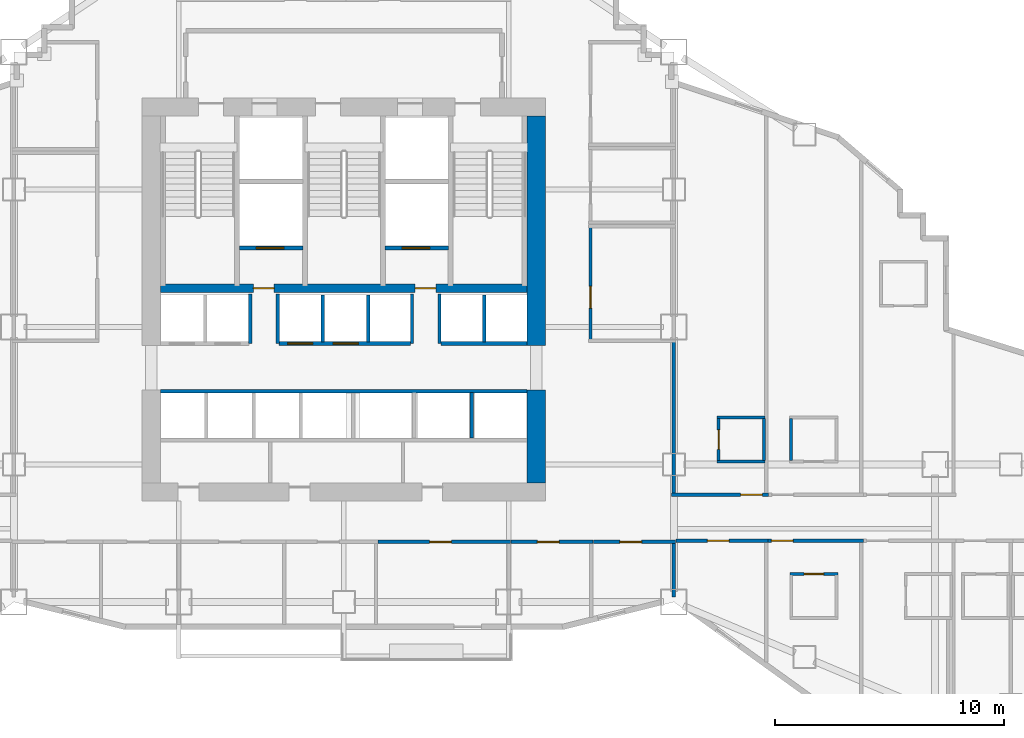
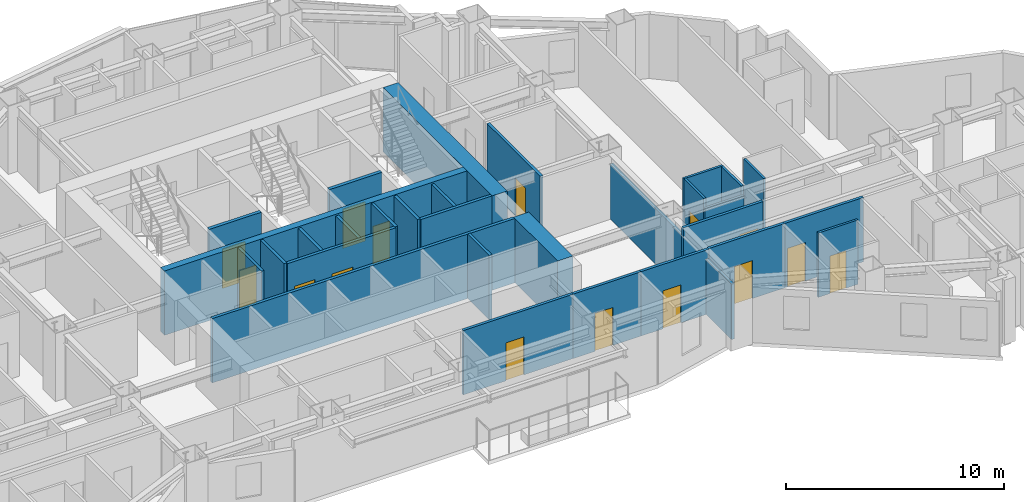
# One storey, part 8 of 16: 31 walls, 15 doors, 15 openings.
"""IFC4 building model written with IfcOpenShell, lengths in metres."""

import ifcopenshell
import ifcopenshell.guid

model = None  # the IFC model being written
_history = None  # IfcOwnerHistory: only IFC2X3 demands one
_inside = {}  # id of a spatial element -> (the spatial element, [elements in it])
_under = {}  # id of a project, library or spatial element -> (it, [spatial elements below it])
_declared = {}  # id of a project -> (the project, [libraries it declares])
_typed = {}  # id of a type object -> (the type object, [elements of that type])
_made_of = {}  # id of a material, layer set ... -> (it, [elements and type objects made of it])


def new_model(schema):
    """Start an empty IFC model of exactly this schema.

    Asked for "IFC4X3", IfcOpenShell would pick the latest addendum, in which some entities
    have other attributes; the version numbers below select the first issue.
    IFC2X3 requires an IfcOwnerHistory on every rooted entity: one is made here for all.
    """
    global model, _history
    if schema == "IFC4X3":
        model = ifcopenshell.file(schema_version=(4, 3, 0, 0))
    else:
        model = ifcopenshell.file(schema=schema)
    _inside.clear()
    _under.clear()
    _declared.clear()
    _typed.clear()
    _made_of.clear()
    _history = None
    if model.schema == "IFC2X3":
        org = make("IfcOrganization", Name="unknown")
        user = make(
            "IfcPersonAndOrganization",
            ThePerson=make("IfcPerson", FamilyName="unknown"),
            TheOrganization=org,
        )
        app = make(
            "IfcApplication",
            ApplicationDeveloper=org,
            Version="unknown",
            ApplicationFullName="unknown",
            ApplicationIdentifier="unknown",
        )
        _history = make(
            "IfcOwnerHistory",
            OwningUser=user,
            OwningApplication=app,
            ChangeAction="ADDED",
            CreationDate=0,
        )
    return model


def make(cls, **values):
    """One entity of the class cls with the attributes given. An attribute that is None is left unset."""
    return model.create_entity(
        cls, **{name: value for name, value in values.items() if value is not None}
    )


def rooted(cls, **values):
    """An entity with a GlobalId (a new one), such as an element, a storey or a relation."""
    return make(cls, GlobalId=ifcopenshell.guid.new(), OwnerHistory=_history, **values)


def si_unit(unit_type, name, prefix=None):
    """IfcSIUnit, for example si_unit("LENGTHUNIT", "METRE", prefix="MILLI")."""
    return make("IfcSIUnit", UnitType=unit_type, Prefix=prefix, Name=name)


def assignment(units):
    """IfcUnitAssignment: the units of a project."""
    return None if units is None else make("IfcUnitAssignment", Units=units)


def point(xyz):
    """IfcCartesianPoint."""
    return None if xyz is None else make("IfcCartesianPoint", Coordinates=xyz)


def direction(xyz):
    """IfcDirection."""
    return None if xyz is None else make("IfcDirection", DirectionRatios=xyz)


def frame(location, z_axis=None, x_axis=None):
    """IfcAxis2Placement3D, a coordinate frame: its origin and axes. An axis left out is left unset."""
    return make(
        "IfcAxis2Placement3D",
        Location=point(location),
        Axis=direction(z_axis),
        RefDirection=direction(x_axis),
    )


def frame_2d(location, x_axis=None):
    """IfcAxis2Placement2D, a coordinate frame in the plane: its origin and x axis."""
    return make(
        "IfcAxis2Placement2D", Location=point(location), RefDirection=direction(x_axis)
    )


def origin():
    """The frame at (0, 0, 0) with its axes left unset."""
    return frame((0.0, 0.0, 0.0))


def place(relative_to, where):
    """IfcLocalPlacement: puts the frame where relative to a parent placement (None: the world)."""
    return make(
        "IfcLocalPlacement", PlacementRelTo=relative_to, RelativePlacement=where
    )


def context(
    kind, dimensions, precision=None, world=None, true_north=None, identifier=None
):
    """IfcGeometricRepresentationContext, for example the 3D "Model" context."""
    return make(
        "IfcGeometricRepresentationContext",
        ContextIdentifier=identifier,
        ContextType=kind,
        CoordinateSpaceDimension=dimensions,
        Precision=precision,
        WorldCoordinateSystem=world,
        TrueNorth=true_north,
    )


def subcontext(parent, identifier, kind, view, scale=None):
    """IfcGeometricRepresentationSubContext, for example "Body" below "Model"."""
    return make(
        "IfcGeometricRepresentationSubContext",
        ContextIdentifier=identifier,
        ContextType=kind,
        ParentContext=parent,
        TargetScale=scale,
        TargetView=view,
    )


def project(units=None, contexts=None):
    """IfcProject with its units and contexts."""
    return rooted(
        "IfcProject",
        Name="project",
        RepresentationContexts=contexts,
        UnitsInContext=assignment(units),
    )


def spatial(cls, under=None, at=None, **own):
    """A site, building, storey or space (cls), placed at a placement, below another one or the project."""
    s = rooted(cls, ObjectPlacement=at, **own)
    if under is not None:
        _under.setdefault(under.id(), (under, []))[1].append(s)
    return s


def profile(cls, at=None, kind="AREA", **sizes):
    """A parametric profile (cls). Its sizes go by their IFC names, for example OverallWidth=200.0."""
    return make(cls, ProfileType=kind, Position=at, **sizes)


def rectangle(**sizes):
    """IfcRectangleProfileDef."""
    return profile("IfcRectangleProfileDef", **sizes)


def extrude(swept, where, along, depth):
    """IfcExtrudedAreaSolid: the profile swept, set in the frame where, extruded along a direction by depth."""
    return make(
        "IfcExtrudedAreaSolid",
        SweptArea=swept,
        Position=where,
        ExtrudedDirection=direction(along),
        Depth=depth,
    )


def shape(context_of_items, identifier, shape_type, items):
    """IfcShapeRepresentation: the items that make up one representation, for example the "Body"."""
    return make(
        "IfcShapeRepresentation",
        ContextOfItems=context_of_items,
        RepresentationIdentifier=identifier,
        RepresentationType=shape_type,
        Items=items,
    )


def material(Name=None, Category=None):
    """IfcMaterial."""
    return make("IfcMaterial", Name=Name, Category=Category)


def layer(
    of_material, thickness, ventilated=None, Name=None, Category=None, Priority=None
):
    """IfcMaterialLayer: one layer of a wall or slab, of a material (None: an air gap)."""
    return make(
        "IfcMaterialLayer",
        Material=of_material,
        LayerThickness=thickness,
        IsVentilated=ventilated,
        Name=Name,
        Category=Category,
        Priority=Priority,
    )


def layer_set(layers, Name=None):
    """IfcMaterialLayerSet."""
    return make("IfcMaterialLayerSet", MaterialLayers=layers, LayerSetName=Name)


def made_of(thing, what):
    """Note that an element or type object is made of a material, layer set ...; save() writes the relation."""
    if what is not None:
        _made_of.setdefault(what.id(), (what, []))[1].append(thing)
    return thing


def type_object(cls, material=None, **own):
    """A type object (cls), such as IfcWallType, which elements share."""
    return made_of(rooted(cls, **own), material)


def element(
    cls,
    number,
    at=None,
    inside=None,
    cuts=None,
    type_object=None,
    material=None,
    context=None,
    identifier="Body",
    shape_type=None,
    held_by="IfcProductDefinitionShape",
    body=None,
    shapes=None,
    **own,
):
    """One element of the class cls, such as IfcWall. Its Tag is "e" and its number.

    at: its placement. inside: the storey or other place that contains it. cuts: it is an
    opening in that element (IfcRelVoidsElement). A single representation is given by context,
    identifier, shape_type and body (its items); several are given by shapes. held_by: the class
    of the entity that holds the representations. save() writes the other relations.
    """
    e = rooted(cls, Tag="e%d" % number, ObjectPlacement=at, **own)
    if body is not None:
        shapes = [shape(context, identifier, shape_type, body)]
    if shapes is not None:
        e.Representation = make(held_by, Representations=shapes)
    if inside is not None:
        _inside.setdefault(inside.id(), (inside, []))[1].append(e)
    if cuts is not None:
        rooted(
            "IfcRelVoidsElement", RelatingBuildingElement=cuts, RelatedOpeningElement=e
        )
    if type_object is not None:
        _typed.setdefault(type_object.id(), (type_object, []))[1].append(e)
    return made_of(e, material)


def fill(opening, filler):
    """IfcRelFillsElement: the door or window that sits in an opening."""
    return rooted(
        "IfcRelFillsElement",
        RelatingOpeningElement=opening,
        RelatedBuildingElement=filler,
    )


def aggregate(whole, parts):
    """IfcRelAggregates: a whole, such as a stair, and the parts it consists of."""
    return rooted("IfcRelAggregates", RelatingObject=whole, RelatedObjects=parts)


def save(model, path):
    """Write the relations noted so far, then the file.

    IfcRelAggregates (storeys below a building ...), IfcRelContainedInSpatialStructure (elements
    in a storey), IfcRelDefinesByType, IfcRelAssociatesMaterial and IfcRelDeclares: one each for
    every whole, place, type object, material and project.
    """
    for whole, parts in _under.values():
        aggregate(whole, parts)
    for where, things in _inside.values():
        rooted(
            "IfcRelContainedInSpatialStructure",
            RelatedElements=things,
            RelatingStructure=where,
        )
    for kind, things in _typed.values():
        rooted("IfcRelDefinesByType", RelatedObjects=things, RelatingType=kind)
    for what, things in _made_of.values():
        rooted("IfcRelAssociatesMaterial", RelatedObjects=things, RelatingMaterial=what)
    for by, libraries in _declared.values():
        rooted("IfcRelDeclares", RelatingContext=by, RelatedDefinitions=libraries)
    model.write(path)


model = new_model("IFC4")

# Units and contexts
model_context = context("Model", 3, precision=1e-05, world=origin(), true_north=direction((0.0, 1.0)))
body_context = subcontext(model_context, "Body", "Model", "MODEL_VIEW")
ifc_project = project(units=[si_unit("LENGTHUNIT", "METRE"), si_unit("AREAUNIT", "SQUARE_METRE"), si_unit("VOLUMEUNIT", "CUBIC_METRE"), si_unit("PLANEANGLEUNIT", "RADIAN"), si_unit("MASSUNIT", "GRAM", prefix="KILO")], contexts=[model_context])

# Site, building, storey
site_placement = place(None, origin())
site = spatial("IfcSite", under=ifc_project, at=site_placement, CompositionType="ELEMENT")
building_placement = place(site_placement, origin())
building = spatial("IfcBuilding", under=site, at=building_placement, Name="Haolan Belvedere Tower", CompositionType="ELEMENT")
storey_placement = place(building_placement, frame((0.0, 0.0, 47.60009765625)))
storey = spatial("IfcBuildingStorey", under=building, at=storey_placement, Name="L11", CompositionType="ELEMENT", Elevation=47.60009765625)

# Walls
ifc_material_1 = material(Name="Concrete C70/85", Category="concrete")
ifc_layer_1 = layer(ifc_material_1, 0.800048828125, Name="Concrete C70/85")
ifc_layer_set_1 = layer_set([ifc_layer_1], Name="Concrete C70/85")
wall_type_1 = type_object("IfcWallType", Name="WL-CORE-800", PredefinedType="SHEAR", material=ifc_layer_set_1)
wall_1_placement = place(storey_placement, frame((46.800048828125, 26.800048828125, 0.0), z_axis=(0.0, 0.0, 1.0), x_axis=(0.0, 1.0, 0.0)))
element("IfcWall", 1, at=wall_1_placement, inside=storey, type_object=wall_type_1, Name="L11 central core shear wall ES", PredefinedType="SHEAR", context=body_context, shape_type="SweptSolid", body=[
    extrude(rectangle(XDim=4.050048828125, YDim=0.800048828125, at=frame_2d((2.02490234375, 0.0))), origin(), (0.0, 0.0, 1.0), 3.599853515625),
])
wall_2_placement = place(storey_placement, frame((46.800048828125, 32.800048828125, 0.0), z_axis=(0.0, 0.0, 1.0), x_axis=(0.0, 1.0, 0.0)))
element("IfcWall", 2, at=wall_2_placement, inside=storey, type_object=wall_type_1, Name="L11 central core shear wall EN", PredefinedType="SHEAR", context=body_context, shape_type="SweptSolid", body=[
    extrude(rectangle(XDim=10.0, YDim=0.800048828125, at=frame_2d((5.0, 0.0))), origin(), (0.0, 0.0, 1.0), 3.599853515625),
])

# Wall, opening, door
ifc_material_2 = material(Name="Double gypsum acoustic stud partition", Category="masonry")
ifc_layer_2 = layer(ifc_material_2, 0.14990234375, Name="Double gypsum acoustic stud partition")
ifc_layer_set_2 = layer_set([ifc_layer_2], Name="Double gypsum acoustic stud partition")
wall_type_2 = type_object("IfcWallType", Name="WL-PART-150", PredefinedType="PARTITIONING", material=ifc_layer_set_2)
wall_3_placement = place(storey_placement, frame((49.159912109375, 33.06005859375, 0.0), z_axis=(0.0, 0.0, 1.0), x_axis=(0.0, 1.0, 0.0)))
wall_3 = element("IfcWall", 3, at=wall_3_placement, inside=storey, type_object=wall_type_2, Name="L11 interior partition IW-L11-BPN-W", PredefinedType="PARTITIONING", context=body_context, shape_type="SweptSolid", body=[
    extrude(rectangle(XDim=4.8798828125, YDim=0.14990234375, at=frame_2d((2.43994140625, 0.0))), origin(), (0.0, 0.0, 1.0), 3.599853515625),
])
opening_1_placement = place(wall_3_placement, frame((1.360107421875, 0.0, 0.0)))
opening_1 = element("IfcOpeningElement", 4, at=opening_1_placement, cuts=wall_3, Name="Opening ID-03", PredefinedType="OPENING", context=body_context, shape_type="SweptSolid", body=[
    extrude(rectangle(XDim=0.949951171875, YDim=2.1201171875, at=frame_2d((0.47509765625, 1.06005859375))), frame((0.0, 0.0849609375, 0.0), z_axis=(0.0, -1.0, 0.0), x_axis=(1.0, 0.0, 0.0)), (0.0, 0.0, 1.0), 0.169921875),
])
ifc_material_3 = material(Name="Painted solid-core timber", Category="wood")
door_type_1 = type_object("IfcDoorType", Name="DR-INT-950", OperationType="NOTDEFINED", PredefinedType="DOOR", material=ifc_material_3)
door_1_placement = place(opening_1_placement, origin())
door_1 = element("IfcDoor", 5, at=door_1_placement, inside=storey, type_object=door_type_1, Name="L11 door ID-L11-BPN", OperationType="SINGLE_SWING_RIGHT", OverallHeight=2.1201171875, OverallWidth=0.949951171875, PredefinedType="DOOR", context=body_context, shape_type="SweptSolid", body=[
    extrude(rectangle(XDim=0.949951171875, YDim=2.1201171875, at=frame_2d((0.47509765625, 1.06005859375))), frame((0.0, 0.02490234375, 0.0), z_axis=(0.0, -1.0, 0.0), x_axis=(1.0, 0.0, 0.0)), (0.0, 0.0, 1.0), 0.050048828125),
])
fill(opening_1, door_1)

wall_4_placement = place(storey_placement, frame((39.882080078125, 24.219970703125, 0.0), z_axis=(0.0, 0.0, 1.0), x_axis=(1.0, 0.0, 0.0)))
wall_4 = element("IfcWall", 6, at=wall_4_placement, inside=storey, type_object=wall_type_2, Name="L11 interior partition IW-L11-KS5-N", PredefinedType="PARTITIONING", context=body_context, shape_type="SweptSolid", body=[
    extrude(rectangle(XDim=5.7978515625, YDim=0.14990234375, at=frame_2d((2.89892578125, 0.0))), origin(), (0.0, 0.0, 1.0), 3.599853515625),
])
opening_2_placement = place(wall_4_placement, frame((3.212890625, 0.0, 0.0), z_axis=(0.0, 0.0, 1.0), x_axis=(-1.0, 0.0, 0.0)))
opening_2 = element("IfcOpeningElement", 7, at=opening_2_placement, cuts=wall_4, Name="Opening ID-03", PredefinedType="OPENING", context=body_context, shape_type="SweptSolid", body=[
    extrude(rectangle(XDim=0.949951171875, YDim=2.1201171875, at=frame_2d((0.47509765625, 1.06005859375))), frame((0.0, 0.0849609375, 0.0), z_axis=(0.0, -1.0, 0.0), x_axis=(1.0, 0.0, 0.0)), (0.0, 0.0, 1.0), 0.169921875),
])
door_2_placement = place(opening_2_placement, origin())
door_2 = element("IfcDoor", 8, at=door_2_placement, inside=storey, type_object=door_type_1, Name="L11 door ID-L11-KS5", OperationType="SINGLE_SWING_LEFT", OverallHeight=2.1201171875, OverallWidth=0.949951171875, PredefinedType="DOOR", context=body_context, shape_type="SweptSolid", body=[
    extrude(rectangle(XDim=0.949951171875, YDim=2.1201171875, at=frame_2d((0.47509765625, 1.06005859375))), frame((0.0, 0.02490234375, 0.0), z_axis=(0.0, -1.0, 0.0), x_axis=(1.0, 0.0, 0.0)), (0.0, 0.0, 1.0), 0.050048828125),
])
fill(opening_2, door_2)

wall_5_placement = place(storey_placement, frame((45.681884765625, 24.219970703125, 0.0), z_axis=(0.0, 0.0, 1.0), x_axis=(1.0, 0.0, 0.0)))
wall_5 = element("IfcWall", 9, at=wall_5_placement, inside=storey, type_object=wall_type_2, Name="L11 interior partition IW-L11-KS6-N", PredefinedType="PARTITIONING", context=body_context, shape_type="SweptSolid", body=[
    extrude(rectangle(XDim=3.59814453125, YDim=0.14990234375, at=frame_2d((1.799072265625, 0.0))), origin(), (0.0, 0.0, 1.0), 3.599853515625),
])
opening_3_placement = place(wall_5_placement, frame((2.113037109375, 0.0, 0.0), z_axis=(0.0, 0.0, 1.0), x_axis=(-1.0, 0.0, 0.0)))
opening_3 = element("IfcOpeningElement", 10, at=opening_3_placement, cuts=wall_5, Name="Opening ID-03", PredefinedType="OPENING", context=body_context, shape_type="SweptSolid", body=[
    extrude(rectangle(XDim=0.949951171875, YDim=2.1201171875, at=frame_2d((0.47509765625, 1.06005859375))), frame((0.0, 0.0849609375, 0.0), z_axis=(0.0, -1.0, 0.0), x_axis=(1.0, 0.0, 0.0)), (0.0, 0.0, 1.0), 0.169921875),
])
door_3_placement = place(opening_3_placement, origin())
door_3 = element("IfcDoor", 11, at=door_3_placement, inside=storey, type_object=door_type_1, Name="L11 door ID-L11-KS6", OperationType="SINGLE_SWING_RIGHT", OverallHeight=2.1201171875, OverallWidth=0.949951171875, PredefinedType="DOOR", context=body_context, shape_type="SweptSolid", body=[
    extrude(rectangle(XDim=0.949951171875, YDim=2.1201171875, at=frame_2d((0.47509765625, 1.06005859375))), frame((0.0, 0.02490234375, 0.0), z_axis=(0.0, -1.0, 0.0), x_axis=(1.0, 0.0, 0.0)), (0.0, 0.0, 1.0), 0.050048828125),
])
fill(opening_3, door_3)

wall_6_placement = place(storey_placement, frame((49.281982421875, 24.219970703125, 0.0), z_axis=(0.0, 0.0, 1.0), x_axis=(1.0, 0.0, 0.0)))
wall_6 = element("IfcWall", 12, at=wall_6_placement, inside=storey, type_object=wall_type_2, Name="L11 interior partition IW-L11-KS7-N", PredefinedType="PARTITIONING", context=body_context, shape_type="SweptSolid", body=[
    extrude(rectangle(XDim=3.597900390625, YDim=0.14990234375, at=frame_2d((1.798828125, 0.0))), origin(), (0.0, 0.0, 1.0), 3.599853515625),
])
opening_4_placement = place(wall_6_placement, frame((2.113037109375, 0.0, 0.0), z_axis=(0.0, 0.0, 1.0), x_axis=(-1.0, 0.0, 0.0)))
opening_4 = element("IfcOpeningElement", 13, at=opening_4_placement, cuts=wall_6, Name="Opening ID-03", PredefinedType="OPENING", context=body_context, shape_type="SweptSolid", body=[
    extrude(rectangle(XDim=0.949951171875, YDim=2.1201171875, at=frame_2d((0.47509765625, 1.06005859375))), frame((0.0, 0.0849609375, 0.0), z_axis=(0.0, -1.0, 0.0), x_axis=(1.0, 0.0, 0.0)), (0.0, 0.0, 1.0), 0.169921875),
])
door_4_placement = place(opening_4_placement, origin())
door_4 = element("IfcDoor", 14, at=door_4_placement, inside=storey, type_object=door_type_1, Name="L11 door ID-L11-KS7", OperationType="SINGLE_SWING_LEFT", OverallHeight=2.1201171875, OverallWidth=0.949951171875, PredefinedType="DOOR", context=body_context, shape_type="SweptSolid", body=[
    extrude(rectangle(XDim=0.949951171875, YDim=2.1201171875, at=frame_2d((0.47509765625, 1.06005859375))), frame((0.0, 0.02490234375, 0.0), z_axis=(0.0, -1.0, 0.0), x_axis=(1.0, 0.0, 0.0)), (0.0, 0.0, 1.0), 0.050048828125),
])
fill(opening_4, door_4)

# Wall
wall_7_placement = place(storey_placement, frame((52.800048828125, 21.818603515625, 0.0), z_axis=(0.0, 0.0, 1.0), x_axis=(0.0, 1.0, 0.0)))
element("IfcWall", 15, at=wall_7_placement, inside=storey, type_object=wall_type_2, Name="L11 interior partition IW-L11-KS7-E", PredefinedType="PARTITIONING", context=body_context, shape_type="SweptSolid", body=[
    extrude(rectangle(XDim=2.34130859375, YDim=0.14990234375, at=frame_2d((1.170654296875, 0.0))), origin(), (0.0, 0.0, 1.0), 3.096923828125),
])

# Wall, opening, door
wall_8_placement = place(storey_placement, frame((52.699951171875, 26.280029296875, 0.0), z_axis=(0.0, 0.0, 1.0), x_axis=(1.0, 0.0, 0.0)))
wall_8 = element("IfcWall", 16, at=wall_8_placement, inside=storey, type_object=wall_type_2, Name="L11 interior partition IW-L11-T4N1-S", PredefinedType="PARTITIONING", context=body_context, shape_type="SweptSolid", body=[
    extrude(rectangle(XDim=4.22998046875, YDim=0.14990234375, at=frame_2d((2.114990234375, 0.0))), origin(), (0.0, 0.0, 1.0), 3.599853515625),
])
opening_5_placement = place(wall_8_placement, frame((3.014404296875, 0.0, 0.0)))
opening_5 = element("IfcOpeningElement", 17, at=opening_5_placement, cuts=wall_8, Name="Opening ID-01", PredefinedType="OPENING", context=body_context, shape_type="SweptSolid", body=[
    extrude(rectangle(XDim=0.949951171875, YDim=2.179931640625, at=frame_2d((0.47509765625, 1.08984375))), frame((0.0, 0.0849609375, 0.0), z_axis=(0.0, -1.0, 0.0), x_axis=(1.0, 0.0, 0.0)), (0.0, 0.0, 1.0), 0.169921875),
])
ifc_material_4 = material(Name="Acoustic walnut veneer fire-rated timber", Category="wood")
door_type_2 = type_object("IfcDoorType", Name="DR-SUITE-950", OperationType="NOTDEFINED", PredefinedType="DOOR", material=ifc_material_4)
door_5_placement = place(opening_5_placement, origin())
door_5 = element("IfcDoor", 18, at=door_5_placement, inside=storey, type_object=door_type_2, Name="L11 door ID-L11-T4N1-ENT", OperationType="SINGLE_SWING_RIGHT", OverallHeight=2.179931640625, OverallWidth=0.949951171875, PredefinedType="DOOR", context=body_context, shape_type="SweptSolid", body=[
    extrude(rectangle(XDim=0.949951171875, YDim=2.179931640625, at=frame_2d((0.47509765625, 1.08984375))), frame((0.0, 0.02490234375, 0.0), z_axis=(0.0, -1.0, 0.0), x_axis=(1.0, 0.0, 0.0)), (0.0, 0.0, 1.0), 0.050048828125),
])
fill(opening_5, door_5)

# Wall
wall_9_placement = place(storey_placement, frame((52.800048828125, 26.340087890625, 0.0), z_axis=(0.0, 0.0, 1.0), x_axis=(0.0, 1.0, 0.0)))
element("IfcWall", 19, at=wall_9_placement, inside=storey, type_object=wall_type_2, Name="L11 interior partition IW-L11-T4N1-W", PredefinedType="PARTITIONING", context=body_context, shape_type="SweptSolid", body=[
    extrude(rectangle(XDim=6.599853515625, YDim=0.14990234375, at=frame_2d((3.2998046875, 0.0))), origin(), (0.0, 0.0, 1.0), 3.096923828125),
])

# Wall, opening, door
wall_10_placement = place(storey_placement, frame((52.882080078125, 24.27001953125, 0.0), z_axis=(0.0, 0.0, 1.0), x_axis=(1.0, 0.0, 0.0)))
wall_10 = element("IfcWall", 20, at=wall_10_placement, inside=storey, type_object=wall_type_2, Name="L11 interior partition IW-L11-T4S1-N", PredefinedType="PARTITIONING", context=body_context, shape_type="SweptSolid", body=[
    extrude(rectangle(XDim=4.02783203125, YDim=0.14990234375, at=frame_2d((2.013916015625, 0.0))), origin(), (0.0, 0.0, 1.0), 3.599853515625),
])
opening_6_placement = place(wall_10_placement, frame((2.327880859375, 0.0, 0.0), z_axis=(0.0, 0.0, 1.0), x_axis=(-1.0, 0.0, 0.0)))
opening_6 = element("IfcOpeningElement", 21, at=opening_6_placement, cuts=wall_10, Name="Opening ID-03", PredefinedType="OPENING", context=body_context, shape_type="SweptSolid", body=[
    extrude(rectangle(XDim=0.949951171875, YDim=2.1201171875, at=frame_2d((0.47509765625, 1.06005859375))), frame((0.0, 0.0849609375, 0.0), z_axis=(0.0, -1.0, 0.0), x_axis=(1.0, 0.0, 0.0)), (0.0, 0.0, 1.0), 0.169921875),
])
door_6_placement = place(opening_6_placement, origin())
door_6 = element("IfcDoor", 22, at=door_6_placement, inside=storey, type_object=door_type_1, Name="L11 door ID-L11-T4S1", OperationType="SINGLE_SWING_LEFT", OverallHeight=2.1201171875, OverallWidth=0.949951171875, PredefinedType="DOOR", context=body_context, shape_type="SweptSolid", body=[
    extrude(rectangle(XDim=0.949951171875, YDim=2.1201171875, at=frame_2d((0.47509765625, 1.06005859375))), frame((0.0, 0.02490234375, 0.0), z_axis=(0.0, -1.0, 0.0), x_axis=(1.0, 0.0, 0.0)), (0.0, 0.0, 1.0), 0.050048828125),
])
fill(opening_6, door_6)

wall_11_placement = place(storey_placement, frame((56.912109375, 24.27001953125, 0.0), z_axis=(0.0, 0.0, 1.0), x_axis=(1.0, 0.0, 0.0)))
wall_11 = element("IfcWall", 23, at=wall_11_placement, inside=storey, type_object=wall_type_2, Name="L11 interior partition IW-L11-T4S2-N", PredefinedType="PARTITIONING", context=body_context, shape_type="SweptSolid", body=[
    extrude(rectangle(XDim=4.157958984375, YDim=0.14990234375, at=frame_2d((2.0791015625, 0.0))), origin(), (0.0, 0.0, 1.0), 3.599853515625),
])
opening_7_placement = place(wall_11_placement, frame((1.08984375, 0.0, 0.0), z_axis=(0.0, 0.0, 1.0), x_axis=(-1.0, 0.0, 0.0)))
opening_7 = element("IfcOpeningElement", 24, at=opening_7_placement, cuts=wall_11, Name="Opening ID-02", PredefinedType="OPENING", context=body_context, shape_type="SweptSolid", body=[
    extrude(rectangle(XDim=0.949951171875, YDim=2.14990234375, at=frame_2d((0.47509765625, 1.074951171875))), frame((0.0, 0.0849609375, 0.0), z_axis=(0.0, -1.0, 0.0), x_axis=(1.0, 0.0, 0.0)), (0.0, 0.0, 1.0), 0.169921875),
])
ifc_material_5 = material(Name="Acoustic oak veneer fire-rated timber", Category="wood")
door_type_3 = type_object("IfcDoorType", Name="DR-GUEST-950", OperationType="NOTDEFINED", PredefinedType="DOOR", material=ifc_material_5)
door_7_placement = place(opening_7_placement, origin())
door_7 = element("IfcDoor", 25, at=door_7_placement, inside=storey, type_object=door_type_3, Name="L11 door ID-L11-T4S2-ENT", OperationType="SINGLE_SWING_RIGHT", OverallHeight=2.14990234375, OverallWidth=0.949951171875, PredefinedType="DOOR", context=body_context, shape_type="SweptSolid", body=[
    extrude(rectangle(XDim=0.949951171875, YDim=2.14990234375, at=frame_2d((0.47509765625, 1.074951171875))), frame((0.0, 0.02490234375, 0.0), z_axis=(0.0, -1.0, 0.0), x_axis=(1.0, 0.0, 0.0)), (0.0, 0.0, 1.0), 0.050048828125),
])
fill(opening_7, door_7)

# Walls
ifc_material_6 = material(Name="Gypsum fire shaftwall assembly", Category="masonry")
ifc_layer_3 = layer(ifc_material_6, 0.1650390625, Name="Gypsum fire shaftwall assembly")
ifc_layer_set_3 = layer_set([ifc_layer_3], Name="Gypsum fire shaftwall assembly")
wall_type_3 = type_object("IfcWallType", Name="WL-SHAFT-160", PredefinedType="SOLIDWALL", material=ifc_layer_set_3)
for number, where, z_axis, x_axis, name in (
    (26, (34.31005859375, 32.8798828125, 0.0), (0.0, 0.0, 1.0), (0.0, 1.0, 0.0), "L11 interior partition IW-L11-SVP-W-SV1"),
    (27, (35.510009765625, 32.8798828125, 0.0), (0.0, 0.0, 1.0), (0.0, 1.0, 0.0), "L11 interior partition IW-L11-SVP-E-SV1"),
    (28, (41.3701171875, 32.8798828125, 0.0), (0.0, 0.0, 1.0), (0.0, 1.0, 0.0), "L11 interior partition IW-L11-SVP-W-SV2"),
    (29, (42.570068359375, 32.8798828125, 0.0), (0.0, 0.0, 1.0), (0.0, 1.0, 0.0), "L11 interior partition IW-L11-SVP-E-SV2"),
):
    element("IfcWall", number, at=place(storey_placement, frame(where, z_axis=z_axis, x_axis=x_axis)), inside=storey, type_object=wall_type_3, Name=name, PredefinedType="SOLIDWALL", context=body_context, shape_type="SweptSolid", body=[
        extrude(rectangle(XDim=2.170166015625, YDim=0.14990234375, at=frame_2d((1.0849609375, 0.0))), origin(), (0.0, 0.0, 1.0), 3.599853515625),
    ])

# Wall, openings, doors
wall_12_placement = place(storey_placement, frame((35.570068359375, 32.8798828125, 0.0), z_axis=(0.0, 0.0, 1.0), x_axis=(1.0, 0.0, 0.0)))
wall_12 = element("IfcWall", 30, at=wall_12_placement, inside=storey, type_object=wall_type_3, Name="L11 interior partition IW-L11-ROW-PN2", PredefinedType="SOLIDWALL", context=body_context, shape_type="SweptSolid", body=[
    extrude(rectangle(XDim=5.739990234375, YDim=0.159912109375, at=frame_2d((2.8701171875, 0.0))), origin(), (0.0, 0.0, 1.0), 3.599853515625),
])
opening_8_placement = place(wall_12_placement, frame((1.47021484375, 0.0, 0.0), z_axis=(0.0, 0.0, 1.0), x_axis=(-1.0, 0.0, 0.0)))
opening_8 = element("IfcOpeningElement", 31, at=opening_8_placement, cuts=wall_12, Name="Opening LD-01", PredefinedType="OPENING", context=body_context, shape_type="SweptSolid", body=[
    extrude(rectangle(XDim=1.10009765625, YDim=2.199951171875, at=frame_2d((0.550048828125, 1.10009765625))), frame((0.0, 0.08984375, 0.0), z_axis=(0.0, -1.0, 0.0), x_axis=(1.0, 0.0, 0.0)), (0.0, 0.0, 1.0), 0.179931640625),
])
opening_9_placement = place(wall_12_placement, frame((3.460205078125, 0.0, 0.0), z_axis=(0.0, 0.0, 1.0), x_axis=(-1.0, 0.0, 0.0)))
opening_9 = element("IfcOpeningElement", 32, at=opening_9_placement, cuts=wall_12, Name="Opening LD-01", PredefinedType="OPENING", context=body_context, shape_type="SweptSolid", body=[
    extrude(rectangle(XDim=1.10009765625, YDim=2.199951171875, at=frame_2d((0.550048828125, 1.10009765625))), frame((0.0, 0.08984375, 0.0), z_axis=(0.0, -1.0, 0.0), x_axis=(1.0, 0.0, 0.0)), (0.0, 0.0, 1.0), 0.179931640625),
])
ifc_material_7 = material(Name="Brushed champagne stainless steel 316L", Category="steel")
door_type_4 = type_object("IfcDoorType", Name="DR-LIFT-1100", OperationType="SLIDING_TO_LEFT", PredefinedType="DOOR", material=ifc_material_7)
door_8_placement = place(opening_8_placement, origin())
door_8 = element("IfcDoor", 33, at=door_8_placement, inside=storey, type_object=door_type_4, Name="L11 door ID-L11-LD-PL3", OperationType="SLIDING_TO_LEFT", OverallHeight=2.199951171875, OverallWidth=1.10009765625, PredefinedType="DOOR", context=body_context, shape_type="SweptSolid", body=[
    extrude(rectangle(XDim=1.10009765625, YDim=2.199951171875, at=frame_2d((0.550048828125, 1.10009765625))), frame((0.0, 0.02490234375, 0.0), z_axis=(0.0, -1.0, 0.0), x_axis=(1.0, 0.0, 0.0)), (0.0, 0.0, 1.0), 0.050048828125),
])
fill(opening_8, door_8)
door_9_placement = place(opening_9_placement, origin())
door_9 = element("IfcDoor", 34, at=door_9_placement, inside=storey, type_object=door_type_4, Name="L11 door ID-L11-LD-PL4", OperationType="SLIDING_TO_LEFT", OverallHeight=2.199951171875, OverallWidth=1.10009765625, PredefinedType="DOOR", context=body_context, shape_type="SweptSolid", body=[
    extrude(rectangle(XDim=1.10009765625, YDim=2.199951171875, at=frame_2d((0.550048828125, 1.10009765625))), frame((0.0, 0.02490234375, 0.0), z_axis=(0.0, -1.0, 0.0), x_axis=(1.0, 0.0, 0.0)), (0.0, 0.0, 1.0), 0.050048828125),
])
fill(opening_9, door_9)

# Walls
wall_13_placement = place(storey_placement, frame((42.6298828125, 32.8798828125, 0.0), z_axis=(0.0, 0.0, 1.0), x_axis=(1.0, 0.0, 0.0)))
element("IfcWall", 35, at=wall_13_placement, inside=storey, type_object=wall_type_3, Name="L11 interior partition IW-L11-ROW-PN3", PredefinedType="SOLIDWALL", context=body_context, shape_type="SweptSolid", body=[
    extrude(rectangle(XDim=3.77001953125, YDim=0.159912109375, at=frame_2d((1.885009765625, 0.0))), origin(), (0.0, 0.0, 1.0), 3.599853515625),
])
for number, where, z_axis, x_axis, name in (
    (36, (37.47998046875, 32.949951171875, 0.0), (0.0, 0.0, 1.0), (0.0, 1.0, 0.0), "L11 interior partition IW-L11-DIV-PL3"),
    (37, (39.469970703125, 32.949951171875, 0.0), (0.0, 0.0, 1.0), (0.0, 1.0, 0.0), "L11 interior partition IW-L11-DIV-PL4"),
    (38, (44.530029296875, 32.949951171875, 0.0), (0.0, 0.0, 1.0), (0.0, 1.0, 0.0), "L11 interior partition IW-L11-DIV-PH2"),
):
    element("IfcWall", number, at=place(storey_placement, frame(where, z_axis=z_axis, x_axis=x_axis)), inside=storey, type_object=wall_type_3, Name=name, PredefinedType="SOLIDWALL", context=body_context, shape_type="SweptSolid", body=[
        extrude(rectangle(XDim=2.050048828125, YDim=0.14990234375, at=frame_2d((1.02490234375, 0.0))), origin(), (0.0, 0.0, 1.0), 3.599853515625),
    ])
wall_14_placement = place(storey_placement, frame((30.39990234375, 30.800048828125, 0.0), z_axis=(0.0, 0.0, 1.0), x_axis=(1.0, 0.0, 0.0)))
element("IfcWall", 39, at=wall_14_placement, inside=storey, type_object=wall_type_3, Name="L11 interior partition IW-L11-ROW-PS", PredefinedType="SOLIDWALL", context=body_context, shape_type="SweptSolid", body=[
    extrude(rectangle(XDim=16.0, YDim=0.159912109375, at=frame_2d((8.0, 0.0))), origin(), (0.0, 0.0, 1.0), 3.599853515625),
])
wall_15_placement = place(storey_placement, frame((43.97998046875, 28.75, 0.0), z_axis=(0.0, 0.0, 1.0), x_axis=(0.0, 1.0, 0.0)))
element("IfcWall", 40, at=wall_15_placement, inside=storey, type_object=wall_type_3, Name="L11 interior partition IW-L11-DIV-OB2", PredefinedType="SOLIDWALL", context=body_context, shape_type="SweptSolid", body=[
    extrude(rectangle(XDim=1.985107421875, YDim=0.14990234375, at=frame_2d((0.99267578125, 0.0))), origin(), (0.0, 0.0, 1.0), 3.599853515625),
])

# Wall, opening, door
ifc_material_8 = material(Name="Precast concrete C40/50", Category="concrete")
ifc_layer_4 = layer(ifc_material_8, 0.179931640625, Name="Precast concrete C40/50")
ifc_layer_set_4 = layer_set([ifc_layer_4], Name="Precast concrete C40/50")
wall_type_4 = type_object("IfcWallType", Name="WL-SHAFT-180", PredefinedType="SOLIDWALL", material=ifc_layer_set_4)
wall_16_placement = place(storey_placement, frame((33.8349609375, 37.050048828125, 0.0), z_axis=(0.0, 0.0, 1.0), x_axis=(1.0, 0.0, 0.0)))
wall_16 = element("IfcWall", 41, at=wall_16_placement, inside=storey, type_object=wall_type_4, Name="L11 interior partition IW-L11-SV1-S", PredefinedType="SOLIDWALL", context=body_context, shape_type="SweptSolid", body=[
    extrude(rectangle(XDim=2.77001953125, YDim=0.179931640625, at=frame_2d((1.385009765625, 0.0))), origin(), (0.0, 0.0, 1.0), 3.599853515625),
])
opening_10_placement = place(wall_16_placement, frame((1.945068359375, 0.0, 0.0), z_axis=(0.0, 0.0, 1.0), x_axis=(-1.0, 0.0, 0.0)))
opening_10 = element("IfcOpeningElement", 42, at=opening_10_placement, cuts=wall_16, Name="Opening LD-02", PredefinedType="OPENING", context=body_context, shape_type="SweptSolid", body=[
    extrude(rectangle(XDim=1.199951171875, YDim=2.199951171875, at=frame_2d((0.60009765625, 1.10009765625))), frame((0.0, 0.099853515625, 0.0), z_axis=(0.0, -1.0, 0.0), x_axis=(1.0, 0.0, 0.0)), (0.0, 0.0, 1.0), 0.199951171875),
])
door_type_5 = type_object("IfcDoorType", Name="DR-LIFT-1200", OperationType="SLIDING_TO_RIGHT", PredefinedType="DOOR", material=ifc_material_7)
door_10_placement = place(opening_10_placement, origin())
door_10 = element("IfcDoor", 43, at=door_10_placement, inside=storey, type_object=door_type_5, Name="L11 door ID-L11-LD-SV1", OperationType="SLIDING_TO_RIGHT", OverallHeight=2.199951171875, OverallWidth=1.199951171875, PredefinedType="DOOR", context=body_context, shape_type="SweptSolid", body=[
    extrude(rectangle(XDim=1.199951171875, YDim=2.199951171875, at=frame_2d((0.60009765625, 1.10009765625))), frame((0.0, 0.02490234375, 0.0), z_axis=(0.0, -1.0, 0.0), x_axis=(1.0, 0.0, 0.0)), (0.0, 0.0, 1.0), 0.050048828125),
])
fill(opening_10, door_10)

wall_17_placement = place(storey_placement, frame((40.195068359375, 37.050048828125, 0.0), z_axis=(0.0, 0.0, 1.0), x_axis=(1.0, 0.0, 0.0)))
wall_17 = element("IfcWall", 44, at=wall_17_placement, inside=storey, type_object=wall_type_4, Name="L11 interior partition IW-L11-SV2-S", PredefinedType="SOLIDWALL", context=body_context, shape_type="SweptSolid", body=[
    extrude(rectangle(XDim=2.77001953125, YDim=0.179931640625, at=frame_2d((1.385009765625, 0.0))), origin(), (0.0, 0.0, 1.0), 3.599853515625),
])
opening_11_placement = place(wall_17_placement, frame((1.945068359375, 0.0, 0.0), z_axis=(0.0, 0.0, 1.0), x_axis=(-1.0, 0.0, 0.0)))
opening_11 = element("IfcOpeningElement", 45, at=opening_11_placement, cuts=wall_17, Name="Opening LD-02", PredefinedType="OPENING", context=body_context, shape_type="SweptSolid", body=[
    extrude(rectangle(XDim=1.199951171875, YDim=2.199951171875, at=frame_2d((0.60009765625, 1.10009765625))), frame((0.0, 0.099853515625, 0.0), z_axis=(0.0, -1.0, 0.0), x_axis=(1.0, 0.0, 0.0)), (0.0, 0.0, 1.0), 0.199951171875),
])
door_11_placement = place(opening_11_placement, origin())
door_11 = element("IfcDoor", 46, at=door_11_placement, inside=storey, type_object=door_type_5, Name="L11 door ID-L11-LD-SV2", OperationType="SLIDING_TO_RIGHT", OverallHeight=2.199951171875, OverallWidth=1.199951171875, PredefinedType="DOOR", context=body_context, shape_type="SweptSolid", body=[
    extrude(rectangle(XDim=1.199951171875, YDim=2.199951171875, at=frame_2d((0.60009765625, 1.10009765625))), frame((0.0, 0.02490234375, 0.0), z_axis=(0.0, -1.0, 0.0), x_axis=(1.0, 0.0, 0.0)), (0.0, 0.0, 1.0), 0.050048828125),
])
fill(opening_11, door_11)

# Wall, openings, doors
ifc_material_9 = material(Name="Concrete C60/75", Category="concrete")
ifc_layer_5 = layer(ifc_material_9, 0.360107421875, Name="Concrete C60/75")
ifc_layer_set_5 = layer_set([ifc_layer_5], Name="Concrete C60/75")
wall_type_5 = type_object("IfcWallType", Name="WL-WEB-350", PredefinedType="SHEAR", material=ifc_layer_set_5)
wall_18_placement = place(storey_placement, frame((30.39990234375, 35.2900390625, 0.0), z_axis=(0.0, 0.0, 1.0), x_axis=(1.0, 0.0, 0.0)))
wall_18 = element("IfcWall", 47, at=wall_18_placement, inside=storey, type_object=wall_type_5, Name="L11 central core internal shear web", PredefinedType="SHEAR", context=body_context, shape_type="SweptSolid", body=[
    extrude(rectangle(XDim=16.0, YDim=0.360107421875, at=frame_2d((8.0, 0.0))), origin(), (0.0, 0.0, 1.0), 3.599853515625),
])
opening_12_placement = place(wall_18_placement, frame((4.949951171875, 0.0, 0.0), z_axis=(0.0, 0.0, 1.0), x_axis=(-1.0, 0.0, 0.0)))
opening_12 = element("IfcOpeningElement", 48, at=opening_12_placement, cuts=wall_18, Name="Opening FD-05", PredefinedType="OPENING", context=body_context, shape_type="SweptSolid", body=[
    extrude(rectangle(XDim=0.89990234375, YDim=2.10009765625, at=frame_2d((0.449951171875, 1.050048828125))), frame((0.0, 0.18994140625, 0.0), z_axis=(0.0, -1.0, 0.0), x_axis=(1.0, 0.0, 0.0)), (0.0, 0.0, 1.0), 0.380126953125),
])
opening_13_placement = place(wall_18_placement, frame((12.010009765625, 0.0, 0.0), z_axis=(0.0, 0.0, 1.0), x_axis=(-1.0, 0.0, 0.0)))
opening_13 = element("IfcOpeningElement", 49, at=opening_13_placement, cuts=wall_18, Name="Opening FD-05", PredefinedType="OPENING", context=body_context, shape_type="SweptSolid", body=[
    extrude(rectangle(XDim=0.89990234375, YDim=2.10009765625, at=frame_2d((0.449951171875, 1.050048828125))), frame((0.0, 0.18994140625, 0.0), z_axis=(0.0, -1.0, 0.0), x_axis=(1.0, 0.0, 0.0)), (0.0, 0.0, 1.0), 0.380126953125),
])
ifc_material_10 = material(Name="Galvanised fire-rated steel", Category="steel")
door_type_6 = type_object("IfcDoorType", Name="DR-FD60-900", OperationType="NOTDEFINED", PredefinedType="DOOR", material=ifc_material_10)
door_12_placement = place(opening_12_placement, origin())
door_12 = element("IfcDoor", 50, at=door_12_placement, inside=storey, type_object=door_type_6, Name="L11 door CD-L11-SVL-SV1", OperationType="SINGLE_SWING_RIGHT", OverallHeight=2.10009765625, OverallWidth=0.89990234375, PredefinedType="DOOR", context=body_context, shape_type="SweptSolid", body=[
    extrude(rectangle(XDim=0.89990234375, YDim=2.10009765625, at=frame_2d((0.449951171875, 1.050048828125))), frame((0.0, 0.02490234375, 0.0), z_axis=(0.0, -1.0, 0.0), x_axis=(1.0, 0.0, 0.0)), (0.0, 0.0, 1.0), 0.050048828125),
])
fill(opening_12, door_12)
door_13_placement = place(opening_13_placement, origin())
door_13 = element("IfcDoor", 51, at=door_13_placement, inside=storey, type_object=door_type_6, Name="L11 door CD-L11-SVL-SV2", OperationType="SINGLE_SWING_RIGHT", OverallHeight=2.10009765625, OverallWidth=0.89990234375, PredefinedType="DOOR", context=body_context, shape_type="SweptSolid", body=[
    extrude(rectangle(XDim=0.89990234375, YDim=2.10009765625, at=frame_2d((0.449951171875, 1.050048828125))), frame((0.0, 0.02490234375, 0.0), z_axis=(0.0, -1.0, 0.0), x_axis=(1.0, 0.0, 0.0)), (0.0, 0.0, 1.0), 0.050048828125),
])
fill(opening_13, door_13)

# Walls
ifc_material_11 = material(Name="Moisture-resistant gypsum tile partition", Category="masonry")
ifc_layer_6 = layer(ifc_material_11, 0.1201171875, Name="Moisture-resistant gypsum tile partition")
ifc_layer_set_6 = layer_set([ifc_layer_6], Name="Moisture-resistant gypsum tile partition")
wall_type_6 = type_object("IfcWallType", Name="WL-WET-120", PredefinedType="PARTITIONING", material=ifc_layer_set_6)
wall_19_placement = place(storey_placement, frame((54.68994140625, 29.64990234375, 0.0), z_axis=(0.0, 0.0, 1.0), x_axis=(1.0, 0.0, 0.0)))
element("IfcWall", 52, at=wall_19_placement, inside=storey, type_object=wall_type_6, Name="L11 interior partition IW-L11-T4N1-BN", PredefinedType="PARTITIONING", context=body_context, shape_type="SweptSolid", body=[
    extrude(rectangle(XDim=2.080078125, YDim=0.1201171875, at=frame_2d((1.0400390625, 0.0))), origin(), (0.0, 0.0, 1.0), 3.599853515625),
])
wall_20_placement = place(storey_placement, frame((54.68994140625, 27.72998046875, 0.0), z_axis=(0.0, 0.0, 1.0), x_axis=(1.0, 0.0, 0.0)))
element("IfcWall", 53, at=wall_20_placement, inside=storey, type_object=wall_type_6, Name="L11 interior partition IW-L11-T4N1-BS", PredefinedType="PARTITIONING", context=body_context, shape_type="SweptSolid", body=[
    extrude(rectangle(XDim=2.080078125, YDim=0.1201171875, at=frame_2d((1.0400390625, 0.0))), origin(), (0.0, 0.0, 1.0), 3.096923828125),
])

# Wall, opening, door
wall_21_placement = place(storey_placement, frame((54.75, 27.77490234375, 0.0), z_axis=(0.0, 0.0, 1.0), x_axis=(0.0, 1.0, 0.0)))
wall_21 = element("IfcWall", 54, at=wall_21_placement, inside=storey, type_object=wall_type_6, Name="L11 interior partition IW-L11-T4N1-BW", PredefinedType="PARTITIONING", context=body_context, shape_type="SweptSolid", body=[
    extrude(rectangle(XDim=1.830078125, YDim=0.1201171875, at=frame_2d((0.9150390625, 0.0))), origin(), (0.0, 0.0, 1.0), 3.599853515625),
])
opening_14_placement = place(wall_21_placement, frame((1.340087890625, 0.0, 0.0), z_axis=(0.0, 0.0, 1.0), x_axis=(-1.0, 0.0, 0.0)))
opening_14 = element("IfcOpeningElement", 55, at=opening_14_placement, cuts=wall_21, Name="Opening ID-05", PredefinedType="OPENING", context=body_context, shape_type="SweptSolid", body=[
    extrude(rectangle(XDim=0.85009765625, YDim=2.10009765625, at=frame_2d((0.425048828125, 1.050048828125))), frame((0.0, 0.070068359375, 0.0), z_axis=(0.0, -1.0, 0.0), x_axis=(1.0, 0.0, 0.0)), (0.0, 0.0, 1.0), 0.14013671875),
])
ifc_material_12 = material(Name="Moisture-resistant lacquered timber", Category="wood")
door_type_7 = type_object("IfcDoorType", Name="DR-BATH-850", OperationType="NOTDEFINED", PredefinedType="DOOR", material=ifc_material_12)
door_14_placement = place(opening_14_placement, origin())
door_14 = element("IfcDoor", 56, at=door_14_placement, inside=storey, type_object=door_type_7, Name="L11 door ID-L11-T4N1-BATH", OperationType="SINGLE_SWING_LEFT", OverallHeight=2.10009765625, OverallWidth=0.85009765625, PredefinedType="DOOR", context=body_context, shape_type="SweptSolid", body=[
    extrude(rectangle(XDim=0.85009765625, YDim=2.10009765625, at=frame_2d((0.425048828125, 1.050048828125))), frame((0.0, 0.02490234375, 0.0), z_axis=(0.0, -1.0, 0.0), x_axis=(1.0, 0.0, 0.0)), (0.0, 0.0, 1.0), 0.050048828125),
])
fill(opening_14, door_14)

# Walls
for number, where, z_axis, x_axis, name in (
    (57, (56.72998046875, 27.77490234375, 0.0), (0.0, 0.0, 1.0), (0.0, 1.0, 0.0), "L11 interior partition IW-L11-T4N1-BE"),
    (58, (57.909912109375, 27.77490234375, 0.0), (0.0, 0.0, 1.0), (0.0, 1.0, 0.0), "L11 interior partition IW-L11-T4N2-BW"),
):
    element("IfcWall", number, at=place(storey_placement, frame(where, z_axis=z_axis, x_axis=x_axis)), inside=storey, type_object=wall_type_6, Name=name, PredefinedType="PARTITIONING", context=body_context, shape_type="SweptSolid", body=[
        extrude(rectangle(XDim=1.830078125, YDim=0.1201171875, at=frame_2d((0.9150390625, 0.0))), origin(), (0.0, 0.0, 1.0), 3.599853515625),
    ])

# Wall, opening, door
wall_22_placement = place(storey_placement, frame((57.85595703125, 22.820068359375, 0.0), z_axis=(0.0, 0.0, 1.0), x_axis=(1.0, 0.0, 0.0)))
wall_22 = element("IfcWall", 59, at=wall_22_placement, inside=storey, type_object=wall_type_6, Name="L11 interior partition IW-L11-T4S2-BN", PredefinedType="PARTITIONING", context=body_context, shape_type="SweptSolid", body=[
    extrude(rectangle(XDim=2.10009765625, YDim=0.1201171875, at=frame_2d((1.050048828125, 0.0))), origin(), (0.0, 0.0, 1.0), 3.599853515625),
])
opening_15_placement = place(wall_22_placement, frame((1.47509765625, 0.0, 0.0), z_axis=(0.0, 0.0, 1.0), x_axis=(-1.0, 0.0, 0.0)))
opening_15 = element("IfcOpeningElement", 60, at=opening_15_placement, cuts=wall_22, Name="Opening ID-05", PredefinedType="OPENING", context=body_context, shape_type="SweptSolid", body=[
    extrude(rectangle(XDim=0.85009765625, YDim=2.10009765625, at=frame_2d((0.425048828125, 1.050048828125))), frame((0.0, 0.070068359375, 0.0), z_axis=(0.0, -1.0, 0.0), x_axis=(1.0, 0.0, 0.0)), (0.0, 0.0, 1.0), 0.14013671875),
])
door_15_placement = place(opening_15_placement, origin())
door_15 = element("IfcDoor", 61, at=door_15_placement, inside=storey, type_object=door_type_7, Name="L11 door ID-L11-T4S2-BATH", OperationType="SINGLE_SWING_LEFT", OverallHeight=2.10009765625, OverallWidth=0.85009765625, PredefinedType="DOOR", context=body_context, shape_type="SweptSolid", body=[
    extrude(rectangle(XDim=0.85009765625, YDim=2.10009765625, at=frame_2d((0.425048828125, 1.050048828125))), frame((0.0, 0.02490234375, 0.0), z_axis=(0.0, -1.0, 0.0), x_axis=(1.0, 0.0, 0.0)), (0.0, 0.0, 1.0), 0.050048828125),
])
fill(opening_15, door_15)

save(model, "model.ifc")
